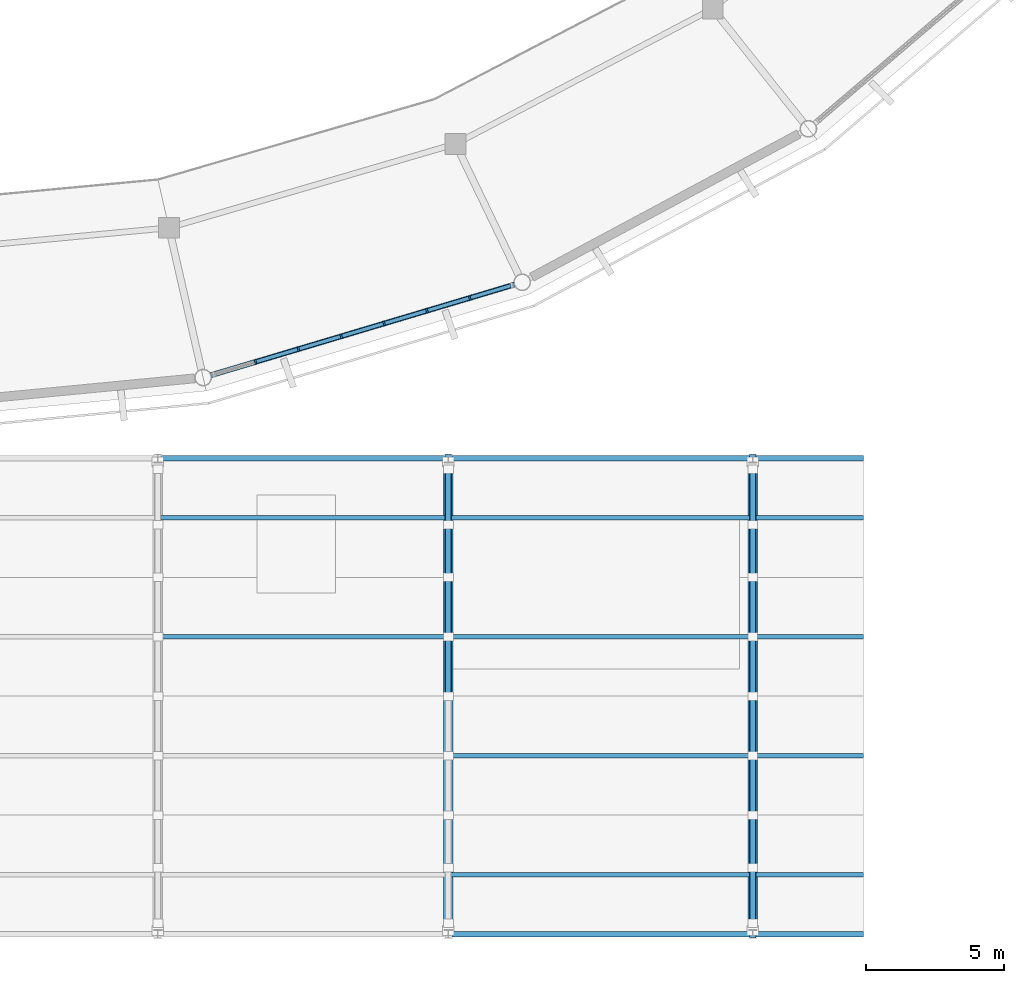
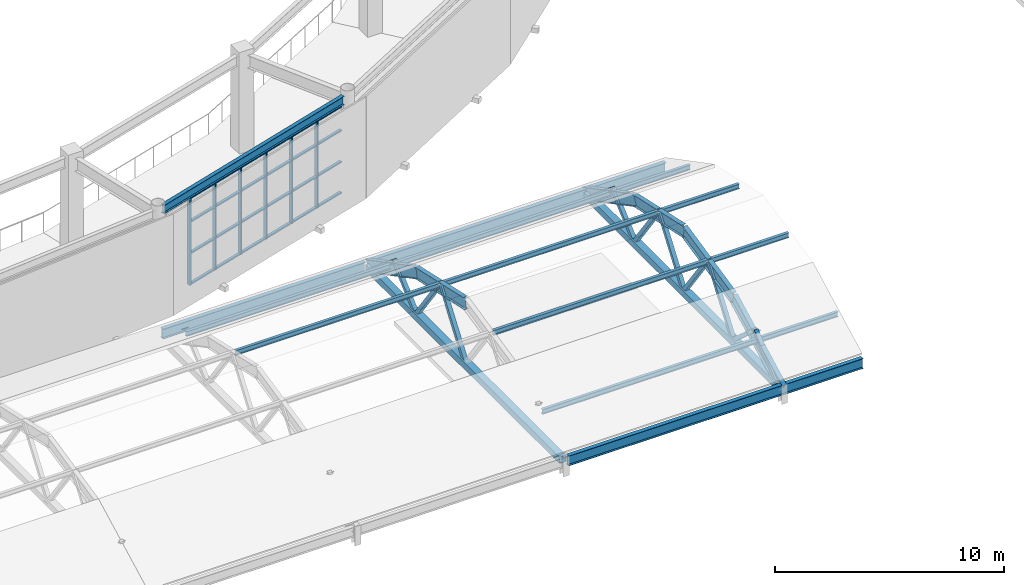
# One storey, part 21 of 70: 50 members, 10 beams, 1 element without a shape of its own.
"""IFC4 building model written with IfcOpenShell, lengths in metres."""

from ifc_helpers import new_model, si_unit, direction, frame, origin, origin_2d, place, context, subcontext, project, spatial, rectangle, hollow_rectangle, i_section, extrude, material, material_profile, profile_set, type_object, element, aggregate, save


model = new_model("IFC4")

# Units and contexts
model_context = context("Model", 3, precision=1e-05, world=origin(), true_north=direction((0.0, 1.0)))
body_context = subcontext(model_context, "Body", "Model", "MODEL_VIEW")
ifc_project = project(units=[si_unit("LENGTHUNIT", "METRE"), si_unit("AREAUNIT", "SQUARE_METRE"), si_unit("VOLUMEUNIT", "CUBIC_METRE"), si_unit("PLANEANGLEUNIT", "RADIAN"), si_unit("MASSUNIT", "GRAM", prefix="KILO")], contexts=[model_context])

# Site, building, storey
site_placement = place(None, origin())
site = spatial("IfcSite", under=ifc_project, at=site_placement, CompositionType="ELEMENT")
building_placement = place(site_placement, origin())
building = spatial("IfcBuilding", under=site, at=building_placement, Name="Cuetzalor Civic Arena", CompositionType="ELEMENT")
storey_placement = place(building_placement, frame((0.0, 0.0, 21.0)))
storey = spatial("IfcBuildingStorey", under=building, at=storey_placement, Name="L04", CompositionType="ELEMENT", Elevation=21.0)

# Curtain wall, members
ifc_material_1 = material(Name="Anodised dark bronze aluminium and low-E solar glass", Category="aluminium")
curtain_wall_type = type_object("IfcCurtainWallType", Name="UnitisedCW_11300x4650", PredefinedType="USERDEFINED", material=ifc_material_1)
curtain_wall_placement = place(storey_placement, origin())
curtain_wall = element("IfcCurtainWall", 1, at=curtain_wall_placement, inside=storey, type_object=curtain_wall_type, Name="Drum Triangle Foyer Curtain Wall L04-066", ObjectType="UNITISED CURTAIN WALL", PredefinedType="USERDEFINED")
ifc_material_2 = material(Name="Anodised dark bronze aluminium", Category="aluminium")
ifc_material_profile_1 = material_profile(ifc_material_2, rectangle(XDim=0.070068359375, YDim=0.179931640625, at=origin_2d()), Name="ALU MULLION 70x180")
ifc_profile_set_1 = profile_set([ifc_material_profile_1], Name="Anodised dark bronze aluminium")
member_type_1 = type_object("IfcMemberType", Name="CurtainWallMullion_65x180", PredefinedType="MULLION", material=ifc_profile_set_1)
member_1_placement = place(storey_placement, frame((21.77392578125, -42.505859375, 0.0), z_axis=(0.0, 0.0, 1.0), x_axis=(-0.958193690548, -0.286120344251, 0.0)))
member_1 = element("IfcMember", 2, at=member_1_placement, type_object=member_type_1, Name="CW-09 mullion 2", PredefinedType="MULLION", context=body_context, shape_type="SweptSolid", body=[
    extrude(rectangle(XDim=0.070068359375, YDim=0.179931640625, at=origin_2d()), origin(), (0.0, 0.0, 1.0), 4.653076171875),
])
member_2_placement = place(storey_placement, frame((20.2255859375, -42.968017578125, 0.0), z_axis=(0.0, 0.0, 1.0), x_axis=(-0.958193690548, -0.286120344251, 0.0)))
member_2 = element("IfcMember", 3, at=member_2_placement, type_object=member_type_1, Name="CW-09 mullion 3", PredefinedType="MULLION", context=body_context, shape_type="SweptSolid", body=[
    extrude(rectangle(XDim=0.070068359375, YDim=0.179931640625, at=origin_2d()), origin(), (0.0, 0.0, 1.0), 4.653076171875),
])
member_3_placement = place(storey_placement, frame((18.677490234375, -43.430419921875, 0.0), z_axis=(0.0, 0.0, 1.0), x_axis=(-0.958193690548, -0.286120344251, 0.0)))
member_3 = element("IfcMember", 4, at=member_3_placement, type_object=member_type_1, Name="CW-09 mullion 4", PredefinedType="MULLION", context=body_context, shape_type="SweptSolid", body=[
    extrude(rectangle(XDim=0.070068359375, YDim=0.179931640625, at=origin_2d()), origin(), (0.0, 0.0, 1.0), 4.653076171875),
])
member_4_placement = place(storey_placement, frame((17.12939453125, -43.892578125, 0.0), z_axis=(0.0, 0.0, 1.0), x_axis=(-0.958193690548, -0.286120344251, 0.0)))
member_4 = element("IfcMember", 5, at=member_4_placement, type_object=member_type_1, Name="CW-09 mullion 5", PredefinedType="MULLION", context=body_context, shape_type="SweptSolid", body=[
    extrude(rectangle(XDim=0.070068359375, YDim=0.179931640625, at=origin_2d()), origin(), (0.0, 0.0, 1.0), 4.653076171875),
])
member_5_placement = place(storey_placement, frame((15.581298828125, -44.35498046875, 0.0), z_axis=(0.0, 0.0, 1.0), x_axis=(-0.958193690548, -0.286120344251, 0.0)))
member_5 = element("IfcMember", 6, at=member_5_placement, type_object=member_type_1, Name="CW-09 mullion 6", PredefinedType="MULLION", context=body_context, shape_type="SweptSolid", body=[
    extrude(rectangle(XDim=0.070068359375, YDim=0.179931640625, at=origin_2d()), origin(), (0.0, 0.0, 1.0), 4.653076171875),
])
member_6_placement = place(storey_placement, frame((14.032958984375, -44.817138671875, 0.0), z_axis=(0.0, 0.0, 1.0), x_axis=(-0.958193690548, -0.286120344251, 0.0)))
member_6 = element("IfcMember", 7, at=member_6_placement, type_object=member_type_1, Name="CW-09 mullion 7", PredefinedType="MULLION", context=body_context, shape_type="SweptSolid", body=[
    extrude(rectangle(XDim=0.070068359375, YDim=0.179931640625, at=origin_2d()), origin(), (0.0, 0.0, 1.0), 4.653076171875),
])
ifc_material_3 = material(Name="Anodised dark bronze aluminium", Category="aluminium")
ifc_material_profile_2 = material_profile(ifc_material_3, rectangle(XDim=0.139892578125, YDim=0.070068359375, at=origin_2d()), Name="ALU TRANSOM 70x140")
ifc_profile_set_2 = profile_set([ifc_material_profile_2], Name="Anodised dark bronze aluminium")
member_type_2 = type_object("IfcMemberType", Name="CurtainWallTransom_65x140", PredefinedType="USERDEFINED", material=ifc_profile_set_2)
member_7_placement = place(storey_placement, frame((23.2548828125, -42.0634765625, 0.034912109375), z_axis=(-0.958168093169, -0.286206053804, 0.0), x_axis=(0.286206053804, -0.958168093169, 0.0)))
member_7 = element("IfcMember", 8, at=member_7_placement, type_object=member_type_2, Name="CW-09 transom 1.1", ObjectType="TRANSOM", PredefinedType="USERDEFINED", context=body_context, shape_type="SweptSolid", body=[
    extrude(rectangle(XDim=0.139892578125, YDim=0.070068359375, at=origin_2d()), origin(), (0.0, 0.0, 1.0), 1.5107421875),
])
member_8_placement = place(storey_placement, frame((23.2548828125, -42.0634765625, 1.675048828125), z_axis=(-0.958168093169, -0.286206053804, 0.0), x_axis=(0.286206053804, -0.958168093169, 0.0)))
member_8 = element("IfcMember", 9, at=member_8_placement, type_object=member_type_2, Name="CW-09 transom 1.2", ObjectType="TRANSOM", PredefinedType="USERDEFINED", context=body_context, shape_type="SweptSolid", body=[
    extrude(rectangle(XDim=0.139892578125, YDim=0.070068359375, at=origin_2d()), origin(), (0.0, 0.0, 1.0), 1.5107421875),
])
member_9_placement = place(storey_placement, frame((23.2548828125, -42.0634765625, 3.35009765625), z_axis=(-0.958168093169, -0.286206053804, 0.0), x_axis=(0.286206053804, -0.958168093169, 0.0)))
member_9 = element("IfcMember", 10, at=member_9_placement, type_object=member_type_2, Name="CW-09 transom 1.3", ObjectType="TRANSOM", PredefinedType="USERDEFINED", context=body_context, shape_type="SweptSolid", body=[
    extrude(rectangle(XDim=0.139892578125, YDim=0.070068359375, at=origin_2d()), origin(), (0.0, 0.0, 1.0), 1.5107421875),
])
member_10_placement = place(storey_placement, frame((23.2548828125, -42.0634765625, 4.617919921875), z_axis=(-0.958168093169, -0.286206053804, 0.0), x_axis=(0.286206053804, -0.958168093169, 0.0)))
member_10 = element("IfcMember", 11, at=member_10_placement, type_object=member_type_2, Name="CW-09 transom 1.4", ObjectType="TRANSOM", PredefinedType="USERDEFINED", context=body_context, shape_type="SweptSolid", body=[
    extrude(rectangle(XDim=0.139892578125, YDim=0.070068359375, at=origin_2d()), origin(), (0.0, 0.0, 1.0), 1.5107421875),
])
member_11_placement = place(storey_placement, frame((21.740234375, -42.515869140625, 0.034912109375), z_axis=(-0.958208027284, -0.286072327302, 0.0), x_axis=(0.286072327302, -0.958208027284, 0.0)))
member_11 = element("IfcMember", 12, at=member_11_placement, type_object=member_type_2, Name="CW-09 transom 2.1", ObjectType="TRANSOM", PredefinedType="USERDEFINED", context=body_context, shape_type="SweptSolid", body=[
    extrude(rectangle(XDim=0.139892578125, YDim=0.070068359375, at=origin_2d()), origin(), (0.0, 0.0, 1.0), 1.545654296875),
])
member_12_placement = place(storey_placement, frame((21.740234375, -42.515869140625, 1.675048828125), z_axis=(-0.958208027284, -0.286072327302, 0.0), x_axis=(0.286072327302, -0.958208027284, 0.0)))
member_12 = element("IfcMember", 13, at=member_12_placement, type_object=member_type_2, Name="CW-09 transom 2.2", ObjectType="TRANSOM", PredefinedType="USERDEFINED", context=body_context, shape_type="SweptSolid", body=[
    extrude(rectangle(XDim=0.139892578125, YDim=0.070068359375, at=origin_2d()), origin(), (0.0, 0.0, 1.0), 1.545654296875),
])
member_13_placement = place(storey_placement, frame((21.740234375, -42.515869140625, 3.35009765625), z_axis=(-0.958208027284, -0.286072327302, 0.0), x_axis=(0.286072327302, -0.958208027284, 0.0)))
member_13 = element("IfcMember", 14, at=member_13_placement, type_object=member_type_2, Name="CW-09 transom 2.3", ObjectType="TRANSOM", PredefinedType="USERDEFINED", context=body_context, shape_type="SweptSolid", body=[
    extrude(rectangle(XDim=0.139892578125, YDim=0.070068359375, at=origin_2d()), origin(), (0.0, 0.0, 1.0), 1.545654296875),
])
member_14_placement = place(storey_placement, frame((21.740234375, -42.515869140625, 4.617919921875), z_axis=(-0.958208027284, -0.286072327302, 0.0), x_axis=(0.286072327302, -0.958208027284, 0.0)))
member_14 = element("IfcMember", 15, at=member_14_placement, type_object=member_type_2, Name="CW-09 transom 2.4", ObjectType="TRANSOM", PredefinedType="USERDEFINED", context=body_context, shape_type="SweptSolid", body=[
    extrude(rectangle(XDim=0.139892578125, YDim=0.070068359375, at=origin_2d()), origin(), (0.0, 0.0, 1.0), 1.545654296875),
])
member_15_placement = place(storey_placement, frame((20.192138671875, -42.97802734375, 0.034912109375), z_axis=(-0.958164717752, -0.286217353869, 0.0), x_axis=(0.286217353869, -0.958164717752, 0.0)))
member_15 = element("IfcMember", 16, at=member_15_placement, type_object=member_type_2, Name="CW-09 transom 3.1", ObjectType="TRANSOM", PredefinedType="USERDEFINED", context=body_context, shape_type="SweptSolid", body=[
    extrude(rectangle(XDim=0.139892578125, YDim=0.070068359375, at=origin_2d()), origin(), (0.0, 0.0, 1.0), 1.545654296875),
])
member_16_placement = place(storey_placement, frame((20.192138671875, -42.97802734375, 1.675048828125), z_axis=(-0.958164717752, -0.286217353869, 0.0), x_axis=(0.286217353869, -0.958164717752, 0.0)))
member_16 = element("IfcMember", 17, at=member_16_placement, type_object=member_type_2, Name="CW-09 transom 3.2", ObjectType="TRANSOM", PredefinedType="USERDEFINED", context=body_context, shape_type="SweptSolid", body=[
    extrude(rectangle(XDim=0.139892578125, YDim=0.070068359375, at=origin_2d()), origin(), (0.0, 0.0, 1.0), 1.545654296875),
])
member_17_placement = place(storey_placement, frame((20.192138671875, -42.97802734375, 3.35009765625), z_axis=(-0.958164717752, -0.286217353869, 0.0), x_axis=(0.286217353869, -0.958164717752, 0.0)))
member_17 = element("IfcMember", 18, at=member_17_placement, type_object=member_type_2, Name="CW-09 transom 3.3", ObjectType="TRANSOM", PredefinedType="USERDEFINED", context=body_context, shape_type="SweptSolid", body=[
    extrude(rectangle(XDim=0.139892578125, YDim=0.070068359375, at=origin_2d()), origin(), (0.0, 0.0, 1.0), 1.545654296875),
])
member_18_placement = place(storey_placement, frame((20.192138671875, -42.97802734375, 4.617919921875), z_axis=(-0.958164717752, -0.286217353869, 0.0), x_axis=(0.286217353869, -0.958164717752, 0.0)))
member_18 = element("IfcMember", 19, at=member_18_placement, type_object=member_type_2, Name="CW-09 transom 3.4", ObjectType="TRANSOM", PredefinedType="USERDEFINED", context=body_context, shape_type="SweptSolid", body=[
    extrude(rectangle(XDim=0.139892578125, YDim=0.070068359375, at=origin_2d()), origin(), (0.0, 0.0, 1.0), 1.545654296875),
])
member_19_placement = place(storey_placement, frame((18.64404296875, -43.4404296875, 0.034912109375), z_axis=(-0.958220951688, -0.286029033049, 0.0), x_axis=(0.286029033049, -0.958220951688, 0.0)))
member_19 = element("IfcMember", 20, at=member_19_placement, type_object=member_type_2, Name="CW-09 transom 4.1", ObjectType="TRANSOM", PredefinedType="USERDEFINED", context=body_context, shape_type="SweptSolid", body=[
    extrude(rectangle(XDim=0.139892578125, YDim=0.070068359375, at=origin_2d()), origin(), (0.0, 0.0, 1.0), 1.5458984375),
])
member_20_placement = place(storey_placement, frame((18.64404296875, -43.4404296875, 1.675048828125), z_axis=(-0.958220951688, -0.286029033049, 0.0), x_axis=(0.286029033049, -0.958220951688, 0.0)))
member_20 = element("IfcMember", 21, at=member_20_placement, type_object=member_type_2, Name="CW-09 transom 4.2", ObjectType="TRANSOM", PredefinedType="USERDEFINED", context=body_context, shape_type="SweptSolid", body=[
    extrude(rectangle(XDim=0.139892578125, YDim=0.070068359375, at=origin_2d()), origin(), (0.0, 0.0, 1.0), 1.5458984375),
])
member_21_placement = place(storey_placement, frame((18.64404296875, -43.4404296875, 3.35009765625), z_axis=(-0.958220951688, -0.286029033049, 0.0), x_axis=(0.286029033049, -0.958220951688, 0.0)))
member_21 = element("IfcMember", 22, at=member_21_placement, type_object=member_type_2, Name="CW-09 transom 4.3", ObjectType="TRANSOM", PredefinedType="USERDEFINED", context=body_context, shape_type="SweptSolid", body=[
    extrude(rectangle(XDim=0.139892578125, YDim=0.070068359375, at=origin_2d()), origin(), (0.0, 0.0, 1.0), 1.5458984375),
])
member_22_placement = place(storey_placement, frame((18.64404296875, -43.4404296875, 4.617919921875), z_axis=(-0.958220951688, -0.286029033049, 0.0), x_axis=(0.286029033049, -0.958220951688, 0.0)))
member_22 = element("IfcMember", 23, at=member_22_placement, type_object=member_type_2, Name="CW-09 transom 4.4", ObjectType="TRANSOM", PredefinedType="USERDEFINED", context=body_context, shape_type="SweptSolid", body=[
    extrude(rectangle(XDim=0.139892578125, YDim=0.070068359375, at=origin_2d()), origin(), (0.0, 0.0, 1.0), 1.5458984375),
])
member_23_placement = place(storey_placement, frame((17.095947265625, -43.902587890625, 0.034912109375), z_axis=(-0.958177654678, -0.286174041582, 0.0), x_axis=(0.286174041582, -0.958177654678, 0.0)))
member_23 = element("IfcMember", 24, at=member_23_placement, type_object=member_type_2, Name="CW-09 transom 5.1", ObjectType="TRANSOM", PredefinedType="USERDEFINED", context=body_context, shape_type="SweptSolid", body=[
    extrude(rectangle(XDim=0.139892578125, YDim=0.070068359375, at=origin_2d()), origin(), (0.0, 0.0, 1.0), 1.5458984375),
])
member_24_placement = place(storey_placement, frame((17.095947265625, -43.902587890625, 1.675048828125), z_axis=(-0.958177654678, -0.286174041582, 0.0), x_axis=(0.286174041582, -0.958177654678, 0.0)))
member_24 = element("IfcMember", 25, at=member_24_placement, type_object=member_type_2, Name="CW-09 transom 5.2", ObjectType="TRANSOM", PredefinedType="USERDEFINED", context=body_context, shape_type="SweptSolid", body=[
    extrude(rectangle(XDim=0.139892578125, YDim=0.070068359375, at=origin_2d()), origin(), (0.0, 0.0, 1.0), 1.5458984375),
])
member_25_placement = place(storey_placement, frame((17.095947265625, -43.902587890625, 3.35009765625), z_axis=(-0.958177654678, -0.286174041582, 0.0), x_axis=(0.286174041582, -0.958177654678, 0.0)))
member_25 = element("IfcMember", 26, at=member_25_placement, type_object=member_type_2, Name="CW-09 transom 5.3", ObjectType="TRANSOM", PredefinedType="USERDEFINED", context=body_context, shape_type="SweptSolid", body=[
    extrude(rectangle(XDim=0.139892578125, YDim=0.070068359375, at=origin_2d()), origin(), (0.0, 0.0, 1.0), 1.5458984375),
])
member_26_placement = place(storey_placement, frame((17.095947265625, -43.902587890625, 4.617919921875), z_axis=(-0.958177654678, -0.286174041582, 0.0), x_axis=(0.286174041582, -0.958177654678, 0.0)))
member_26 = element("IfcMember", 27, at=member_26_placement, type_object=member_type_2, Name="CW-09 transom 5.4", ObjectType="TRANSOM", PredefinedType="USERDEFINED", context=body_context, shape_type="SweptSolid", body=[
    extrude(rectangle(XDim=0.139892578125, YDim=0.070068359375, at=origin_2d()), origin(), (0.0, 0.0, 1.0), 1.5458984375),
])
member_27_placement = place(storey_placement, frame((15.547607421875, -44.364990234375, 0.034912109375), z_axis=(-0.958208027284, -0.286072327302, 0.0), x_axis=(0.286072327302, -0.958208027284, 0.0)))
member_27 = element("IfcMember", 28, at=member_27_placement, type_object=member_type_2, Name="CW-09 transom 6.1", ObjectType="TRANSOM", PredefinedType="USERDEFINED", context=body_context, shape_type="SweptSolid", body=[
    extrude(rectangle(XDim=0.139892578125, YDim=0.070068359375, at=origin_2d()), origin(), (0.0, 0.0, 1.0), 1.545654296875),
])
member_28_placement = place(storey_placement, frame((15.547607421875, -44.364990234375, 1.675048828125), z_axis=(-0.958208027284, -0.286072327302, 0.0), x_axis=(0.286072327302, -0.958208027284, 0.0)))
member_28 = element("IfcMember", 29, at=member_28_placement, type_object=member_type_2, Name="CW-09 transom 6.2", ObjectType="TRANSOM", PredefinedType="USERDEFINED", context=body_context, shape_type="SweptSolid", body=[
    extrude(rectangle(XDim=0.139892578125, YDim=0.070068359375, at=origin_2d()), origin(), (0.0, 0.0, 1.0), 1.545654296875),
])
member_29_placement = place(storey_placement, frame((15.547607421875, -44.364990234375, 3.35009765625), z_axis=(-0.958208027284, -0.286072327302, 0.0), x_axis=(0.286072327302, -0.958208027284, 0.0)))
member_29 = element("IfcMember", 30, at=member_29_placement, type_object=member_type_2, Name="CW-09 transom 6.3", ObjectType="TRANSOM", PredefinedType="USERDEFINED", context=body_context, shape_type="SweptSolid", body=[
    extrude(rectangle(XDim=0.139892578125, YDim=0.070068359375, at=origin_2d()), origin(), (0.0, 0.0, 1.0), 1.545654296875),
])
member_30_placement = place(storey_placement, frame((15.547607421875, -44.364990234375, 4.617919921875), z_axis=(-0.958208027284, -0.286072327302, 0.0), x_axis=(0.286072327302, -0.958208027284, 0.0)))
member_30 = element("IfcMember", 31, at=member_30_placement, type_object=member_type_2, Name="CW-09 transom 6.4", ObjectType="TRANSOM", PredefinedType="USERDEFINED", context=body_context, shape_type="SweptSolid", body=[
    extrude(rectangle(XDim=0.139892578125, YDim=0.070068359375, at=origin_2d()), origin(), (0.0, 0.0, 1.0), 1.545654296875),
])
aggregate(curtain_wall, [member_1, member_2, member_3, member_4, member_5, member_6, member_7, member_8, member_9, member_10, member_11, member_12, member_13, member_14, member_15, member_16, member_17, member_18, member_19, member_20, member_21, member_22, member_23, member_24, member_25, member_26, member_27, member_28, member_29, member_30])

# Beam
ifc_material_4 = material(Name="Steel S355", Category="steel")
ifc_material_profile_3 = material_profile(ifc_material_4, i_section(OverallWidth=0.18994140625, OverallDepth=0.45703125, WebThickness=0.009033203125, FlangeThickness=0.014404296875, at=origin_2d()), Name="W460x74")
ifc_profile_set_3 = profile_set([ifc_material_profile_3], Name="Steel S355")
beam_type_1 = type_object("IfcBeamType", Name="FacadeSpandrelBeam_W460", PredefinedType="SPANDREL", material=ifc_profile_set_3)
beam_1_placement = place(storey_placement, frame((12.41650390625, -45.2998046875, 4.8916015625), z_axis=(0.958199215373, 0.28610184141, 0.0), x_axis=(-0.28610184141, 0.958199215373, 0.0)))
element("IfcBeam", 32, at=beam_1_placement, inside=storey, type_object=beam_type_1, Name="Drum Perimeter Spandrel L04-S23", PredefinedType="SPANDREL", context=body_context, shape_type="SweptSolid", body=[
    extrude(i_section(OverallWidth=0.18994140625, OverallDepth=0.45703125, WebThickness=0.009033203125, FlangeThickness=0.014404296875, at=origin_2d()), origin(), (0.0, 0.0, 1.0), 11.45263671875),
])

# Members
ifc_material_5 = material(Name="Steel S355", Category="steel")
ifc_material_profile_4 = material_profile(ifc_material_5, hollow_rectangle(XDim=0.35009765625, YDim=0.35009765625, WallThickness=0.01611328125, at=origin_2d()), Name="RHS 350x350x16")
ifc_profile_set_4 = profile_set([ifc_material_profile_4], Name="Steel S355")
member_type_3 = type_object("IfcMemberType", Name="PrattTrussChord_RHS350", PredefinedType="CHORD", material=ifc_profile_set_4)
for number, where, z_axis, x_axis, name in (
    (33, (21.0, -65.360107421875, 0.714111328125), (0.0, 1.0, 0.0), (-1.0, 0.0, 0.0), "Foyer Barrel Vault Tied-Arch Chord 06"),
    (34, (32.0, -65.360107421875, 0.714111328125), (0.0, 1.0, 0.0), (-1.0, 0.0, 0.0), "Foyer Barrel Vault Tied-Arch Chord 07"),
):
    element("IfcMember", number, at=place(storey_placement, frame(where, z_axis=z_axis, x_axis=x_axis)), inside=storey, type_object=member_type_3, Name=name, PredefinedType="CHORD", context=body_context, shape_type="SweptSolid", body=[
        extrude(hollow_rectangle(XDim=0.35009765625, YDim=0.35009765625, WallThickness=0.01611328125, at=origin_2d()), origin(), (0.0, 0.0, 1.0), 16.920166015625),
    ])
ifc_material_6 = material(Name="Steel S355", Category="steel")
ifc_material_profile_5 = material_profile(ifc_material_6, hollow_rectangle(XDim=0.199951171875, YDim=0.199951171875, WallThickness=0.010009765625, at=origin_2d()), Name="RHS 200x200x10")
ifc_profile_set_5 = profile_set([ifc_material_profile_5], Name="Steel S355")
member_type_4 = type_object("IfcMemberType", Name="PrattTrussWeb_RHS200", PredefinedType="STRUT", material=ifc_profile_set_5)
for number, where, z_axis, x_axis, name in (
    (35, (21.0, -56.89990234375, 0.714111328125), (0.0, 0.585740669637, 0.810498530494), (-1.0, 0.0, 0.0), "Foyer Tied-Arch Truss Web 06-5"),
    (36, (21.0, -54.75, 3.68896484375), (0.0, 0.585740669637, -0.810498530494), (-1.0, 0.0, 0.0), "Foyer Tied-Arch Truss Web 06-6"),
):
    element("IfcMember", number, at=place(storey_placement, frame(where, z_axis=z_axis, x_axis=x_axis)), inside=storey, type_object=member_type_4, Name=name, PredefinedType="STRUT", context=body_context, shape_type="SweptSolid", body=[
        extrude(hollow_rectangle(XDim=0.199951171875, YDim=0.199951171875, WallThickness=0.010009765625, at=origin_2d()), origin(), (0.0, 0.0, 1.0), 3.67041015625),
    ])
member_31_placement = place(storey_placement, frame((21.0, -52.60009765625, 0.714111328125), z_axis=(0.0, 0.75018936013, 0.661223051586), x_axis=(-1.0, 0.0, 0.0)))
element("IfcMember", 37, at=member_31_placement, inside=storey, type_object=member_type_4, Name="Foyer Tied-Arch Truss Web 06-7", PredefinedType="STRUT", context=body_context, shape_type="SweptSolid", body=[
    extrude(hollow_rectangle(XDim=0.199951171875, YDim=0.199951171875, WallThickness=0.010009765625, at=origin_2d()), origin(), (0.0, 0.0, 1.0), 2.532958984375),
])
for number, where, z_axis, x_axis, name in (
    (38, (21.0, -50.699951171875, 2.388916015625), (0.0, 0.766684820047, -0.642023665225), (-1.0, 0.0, 0.0), "Foyer Tied-Arch Truss Web 06-8"),
    (39, (32.0, -65.10009765625, 0.714111328125), (0.0, 0.766684820047, 0.642023665225), (-1.0, 0.0, 0.0), "Foyer Tied-Arch Truss Web 07-1"),
):
    element("IfcMember", number, at=place(storey_placement, frame(where, z_axis=z_axis, x_axis=x_axis)), inside=storey, type_object=member_type_4, Name=name, PredefinedType="STRUT", context=body_context, shape_type="SweptSolid", body=[
        extrude(hollow_rectangle(XDim=0.199951171875, YDim=0.199951171875, WallThickness=0.010009765625, at=origin_2d()), origin(), (0.0, 0.0, 1.0), 2.608642578125),
    ])
member_32_placement = place(storey_placement, frame((32.0, -63.10009765625, 2.388916015625), z_axis=(0.0, 0.75018936013, -0.661223051586), x_axis=(-1.0, 0.0, 0.0)))
element("IfcMember", 40, at=member_32_placement, inside=storey, type_object=member_type_4, Name="Foyer Tied-Arch Truss Web 07-2", PredefinedType="STRUT", context=body_context, shape_type="SweptSolid", body=[
    extrude(hollow_rectangle(XDim=0.199951171875, YDim=0.199951171875, WallThickness=0.010009765625, at=origin_2d()), origin(), (0.0, 0.0, 1.0), 2.532958984375),
])
member_33_placement = place(storey_placement, frame((32.0, -61.199951171875, 0.714111328125), z_axis=(0.0, 0.585740669637, 0.810498530494), x_axis=(-1.0, 0.0, 0.0)))
element("IfcMember", 41, at=member_33_placement, inside=storey, type_object=member_type_4, Name="Foyer Tied-Arch Truss Web 07-3", PredefinedType="STRUT", context=body_context, shape_type="SweptSolid", body=[
    extrude(hollow_rectangle(XDim=0.199951171875, YDim=0.199951171875, WallThickness=0.010009765625, at=origin_2d()), origin(), (0.0, 0.0, 1.0), 3.67041015625),
])
member_34_placement = place(storey_placement, frame((32.0, -59.050048828125, 3.68896484375), z_axis=(0.0, 0.585784362025, -0.810466952569), x_axis=(-1.0, 0.0, 0.0)))
element("IfcMember", 42, at=member_34_placement, inside=storey, type_object=member_type_4, Name="Foyer Tied-Arch Truss Web 07-4", PredefinedType="STRUT", context=body_context, shape_type="SweptSolid", body=[
    extrude(hollow_rectangle(XDim=0.199951171875, YDim=0.199951171875, WallThickness=0.010009765625, at=origin_2d()), origin(), (0.0, 0.0, 1.0), 3.670654296875),
])
for number, where, z_axis, x_axis, name in (
    (43, (32.0, -56.89990234375, 0.714111328125), (0.0, 0.585740669637, 0.810498530494), (-1.0, 0.0, 0.0), "Foyer Tied-Arch Truss Web 07-5"),
    (44, (32.0, -54.75, 3.68896484375), (0.0, 0.585740669637, -0.810498530494), (-1.0, 0.0, 0.0), "Foyer Tied-Arch Truss Web 07-6"),
):
    element("IfcMember", number, at=place(storey_placement, frame(where, z_axis=z_axis, x_axis=x_axis)), inside=storey, type_object=member_type_4, Name=name, PredefinedType="STRUT", context=body_context, shape_type="SweptSolid", body=[
        extrude(hollow_rectangle(XDim=0.199951171875, YDim=0.199951171875, WallThickness=0.010009765625, at=origin_2d()), origin(), (0.0, 0.0, 1.0), 3.67041015625),
    ])
member_35_placement = place(storey_placement, frame((32.0, -52.60009765625, 0.714111328125), z_axis=(0.0, 0.75018936013, 0.661223051586), x_axis=(-1.0, 0.0, 0.0)))
element("IfcMember", 45, at=member_35_placement, inside=storey, type_object=member_type_4, Name="Foyer Tied-Arch Truss Web 07-7", PredefinedType="STRUT", context=body_context, shape_type="SweptSolid", body=[
    extrude(hollow_rectangle(XDim=0.199951171875, YDim=0.199951171875, WallThickness=0.010009765625, at=origin_2d()), origin(), (0.0, 0.0, 1.0), 2.532958984375),
])
member_36_placement = place(storey_placement, frame((32.0, -50.699951171875, 2.388916015625), z_axis=(0.0, 0.766684820047, -0.642023665225), x_axis=(-1.0, 0.0, 0.0)))
element("IfcMember", 46, at=member_36_placement, inside=storey, type_object=member_type_4, Name="Foyer Tied-Arch Truss Web 07-8", PredefinedType="STRUT", context=body_context, shape_type="SweptSolid", body=[
    extrude(hollow_rectangle(XDim=0.199951171875, YDim=0.199951171875, WallThickness=0.010009765625, at=origin_2d()), origin(), (0.0, 0.0, 1.0), 2.608642578125),
])
ifc_material_7 = material(Name="Steel S355", Category="steel")
ifc_material_profile_6 = material_profile(ifc_material_7, i_section(OverallWidth=0.14697265625, OverallDepth=0.261962890625, WebThickness=0.00634765625, FlangeThickness=0.01123046875, at=origin_2d()), Name="W250x39")
ifc_profile_set_6 = profile_set([ifc_material_profile_6], Name="Steel S355")
member_type_5 = type_object("IfcMemberType", Name="RoofDeckPurlin_W250", PredefinedType="PURLIN", material=ifc_profile_set_6)
for number, where, z_axis, x_axis, name in (
    (47, (21.10009765625, -63.35009765625, 2.013916015625), (1.0, 0.0, 0.0), (0.0, 1.0, 0.0), "Foyer Vault Roof Purlin 1-6"),
    (48, (21.10009765625, -59.050048828125, 3.614013671875), (1.0, 0.0, 0.0), (0.0, 1.0, 0.0), "Foyer Vault Roof Purlin 2-6"),
):
    element("IfcMember", number, at=place(storey_placement, frame(where, z_axis=z_axis, x_axis=x_axis)), inside=storey, type_object=member_type_5, Name=name, PredefinedType="PURLIN", context=body_context, shape_type="SweptSolid", body=[
        extrude(i_section(OverallWidth=0.14697265625, OverallDepth=0.261962890625, WebThickness=0.00634765625, FlangeThickness=0.01123046875, at=origin_2d()), origin(), (0.0, 0.0, 1.0), 14.89990234375),
    ])
member_37_placement = place(storey_placement, frame((10.60009765625, -54.75, 3.614013671875), z_axis=(1.0, 0.0, 0.0), x_axis=(0.0, 1.0, 0.0)))
element("IfcMember", 49, at=member_37_placement, inside=storey, type_object=member_type_5, Name="Foyer Vault Roof Purlin 3-5", PredefinedType="PURLIN", context=body_context, shape_type="SweptSolid", body=[
    extrude(i_section(OverallWidth=0.14697265625, OverallDepth=0.261962890625, WebThickness=0.00634765625, FlangeThickness=0.01123046875, at=origin_2d()), origin(), (0.0, 0.0, 1.0), 10.2998046875),
])
member_38_placement = place(storey_placement, frame((21.10009765625, -54.75, 3.614013671875), z_axis=(1.0, 0.0, 0.0), x_axis=(0.0, 1.0, 0.0)))
element("IfcMember", 50, at=member_38_placement, inside=storey, type_object=member_type_5, Name="Foyer Vault Roof Purlin 3-6", PredefinedType="PURLIN", context=body_context, shape_type="SweptSolid", body=[
    extrude(i_section(OverallWidth=0.14697265625, OverallDepth=0.261962890625, WebThickness=0.00634765625, FlangeThickness=0.01123046875, at=origin_2d()), origin(), (0.0, 0.0, 1.0), 14.89990234375),
])
member_39_placement = place(storey_placement, frame((10.60009765625, -50.449951171875, 2.013916015625), z_axis=(1.0, 0.0, 0.0), x_axis=(0.0, 1.0, 0.0)))
element("IfcMember", 51, at=member_39_placement, inside=storey, type_object=member_type_5, Name="Foyer Vault Roof Purlin 4-5", PredefinedType="PURLIN", context=body_context, shape_type="SweptSolid", body=[
    extrude(i_section(OverallWidth=0.14697265625, OverallDepth=0.261962890625, WebThickness=0.00634765625, FlangeThickness=0.01123046875, at=origin_2d()), origin(), (0.0, 0.0, 1.0), 10.2998046875),
])
member_40_placement = place(storey_placement, frame((21.10009765625, -50.449951171875, 2.013916015625), z_axis=(1.0, 0.0, 0.0), x_axis=(0.0, 1.0, 0.0)))
element("IfcMember", 52, at=member_40_placement, inside=storey, type_object=member_type_5, Name="Foyer Vault Roof Purlin 4-6", PredefinedType="PURLIN", context=body_context, shape_type="SweptSolid", body=[
    extrude(i_section(OverallWidth=0.14697265625, OverallDepth=0.261962890625, WebThickness=0.00634765625, FlangeThickness=0.01123046875, at=origin_2d()), origin(), (0.0, 0.0, 1.0), 14.89990234375),
])

# Beams
ifc_material_8 = material(Name="Steel S355", Category="steel")
ifc_material_profile_7 = material_profile(ifc_material_8, i_section(OverallWidth=0.208984375, OverallDepth=0.532958984375, WebThickness=0.01025390625, FlangeThickness=0.015625, at=origin_2d()), Name="W530x92")
ifc_profile_set_7 = profile_set([ifc_material_profile_7], Name="Steel S355")
beam_type_2 = type_object("IfcBeamType", Name="SteelCollarGirder_W530", PredefinedType="BEAM", material=ifc_profile_set_7)
beam_2_placement = place(storey_placement, frame((10.639892578125, -48.300048828125, 0.714111328125), z_axis=(1.0, 0.0, 0.0), x_axis=(0.0, 1.0, 0.0)))
element("IfcBeam", 53, at=beam_2_placement, inside=storey, type_object=beam_type_2, Name="Foyer Vault Eaves Ring Beam N-05", PredefinedType="BEAM", context=body_context, shape_type="SweptSolid", body=[
    extrude(i_section(OverallWidth=0.208984375, OverallDepth=0.532958984375, WebThickness=0.01025390625, FlangeThickness=0.015625, at=origin_2d()), origin(), (0.0, 0.0, 1.0), 10.22021484375),
])
for number, where, z_axis, x_axis, name in (
    (54, (21.139892578125, -65.5, 0.714111328125), (1.0, 0.0, 0.0), (0.0, 1.0, 0.0), "Foyer Vault Eaves Ring Beam S-06"),
    (55, (21.139892578125, -48.300048828125, 0.714111328125), (1.0, 0.0, 0.0), (0.0, 1.0, 0.0), "Foyer Vault Eaves Ring Beam N-06"),
):
    element("IfcBeam", number, at=place(storey_placement, frame(where, z_axis=z_axis, x_axis=x_axis)), inside=storey, type_object=beam_type_2, Name=name, PredefinedType="BEAM", context=body_context, shape_type="SweptSolid", body=[
        extrude(i_section(OverallWidth=0.208984375, OverallDepth=0.532958984375, WebThickness=0.01025390625, FlangeThickness=0.015625, at=origin_2d()), origin(), (0.0, 0.0, 1.0), 14.860107421875),
    ])
ifc_material_9 = material(Name="Steel S355", Category="steel")
ifc_material_profile_8 = material_profile(ifc_material_9, i_section(OverallWidth=0.22802734375, OverallDepth=0.60791015625, WebThickness=0.01123046875, FlangeThickness=0.017333984375, at=origin_2d()), Name="W610x113")
ifc_profile_set_8 = profile_set([ifc_material_profile_8], Name="Steel S355")
beam_type_3 = type_object("IfcBeamType", Name="VaultArchRibBeam_W610", PredefinedType="USERDEFINED", material=ifc_profile_set_8)
beam_3_placement = place(storey_placement, frame((21.0, -56.89990234375, 3.9140625), z_axis=(0.0, 0.976453747048, -0.215726864057), x_axis=(-1.0, 0.0, 0.0)))
element("IfcBeam", 56, at=beam_3_placement, inside=storey, type_object=beam_type_3, Name="Foyer Barrel Vault Arch Rib 06-3", ObjectType="VAULT RIB", PredefinedType="USERDEFINED", context=body_context, shape_type="SweptSolid", body=[
    extrude(i_section(OverallWidth=0.22802734375, OverallDepth=0.60791015625, WebThickness=0.01123046875, FlangeThickness=0.017333984375, at=origin_2d()), origin(), (0.0, 0.0, 1.0), 4.403564453125),
])
for number, where, z_axis, x_axis, name in (
    (57, (21.0, -52.60009765625, 2.964111328125), (0.0, 0.88603526869, -0.463617841154), (-1.0, 0.0, 0.0), "Foyer Barrel Vault Arch Rib 06-4"),
    (58, (32.0, -65.5, 0.714111328125), (0.0, 0.88603526869, 0.463617841154), (-1.0, 0.0, 0.0), "Foyer Barrel Vault Arch Rib 07-1"),
):
    element("IfcBeam", number, at=place(storey_placement, frame(where, z_axis=z_axis, x_axis=x_axis)), inside=storey, type_object=beam_type_3, Name=name, ObjectType="VAULT RIB", PredefinedType="USERDEFINED", context=body_context, shape_type="SweptSolid", body=[
        extrude(i_section(OverallWidth=0.22802734375, OverallDepth=0.60791015625, WebThickness=0.01123046875, FlangeThickness=0.017333984375, at=origin_2d()), origin(), (0.0, 0.0, 1.0), 4.85302734375),
    ])
beam_4_placement = place(storey_placement, frame((32.0, -61.199951171875, 2.964111328125), z_axis=(0.0, 0.976456327027, 0.215715185855), x_axis=(-1.0, 0.0, 0.0)))
element("IfcBeam", 59, at=beam_4_placement, inside=storey, type_object=beam_type_3, Name="Foyer Barrel Vault Arch Rib 07-2", ObjectType="VAULT RIB", PredefinedType="USERDEFINED", context=body_context, shape_type="SweptSolid", body=[
    extrude(i_section(OverallWidth=0.22802734375, OverallDepth=0.60791015625, WebThickness=0.01123046875, FlangeThickness=0.017333984375, at=origin_2d()), origin(), (0.0, 0.0, 1.0), 4.40380859375),
])
beam_5_placement = place(storey_placement, frame((32.0, -56.89990234375, 3.9140625), z_axis=(0.0, 0.976453747048, -0.215726864057), x_axis=(-1.0, 0.0, 0.0)))
element("IfcBeam", 60, at=beam_5_placement, inside=storey, type_object=beam_type_3, Name="Foyer Barrel Vault Arch Rib 07-3", ObjectType="VAULT RIB", PredefinedType="USERDEFINED", context=body_context, shape_type="SweptSolid", body=[
    extrude(i_section(OverallWidth=0.22802734375, OverallDepth=0.60791015625, WebThickness=0.01123046875, FlangeThickness=0.017333984375, at=origin_2d()), origin(), (0.0, 0.0, 1.0), 4.403564453125),
])
beam_6_placement = place(storey_placement, frame((32.0, -52.60009765625, 2.964111328125), z_axis=(0.0, 0.88603526869, -0.463617841154), x_axis=(-1.0, 0.0, 0.0)))
element("IfcBeam", 61, at=beam_6_placement, inside=storey, type_object=beam_type_3, Name="Foyer Barrel Vault Arch Rib 07-4", ObjectType="VAULT RIB", PredefinedType="USERDEFINED", context=body_context, shape_type="SweptSolid", body=[
    extrude(i_section(OverallWidth=0.22802734375, OverallDepth=0.60791015625, WebThickness=0.01123046875, FlangeThickness=0.017333984375, at=origin_2d()), origin(), (0.0, 0.0, 1.0), 4.85302734375),
])

save(model, "model.ifc")
